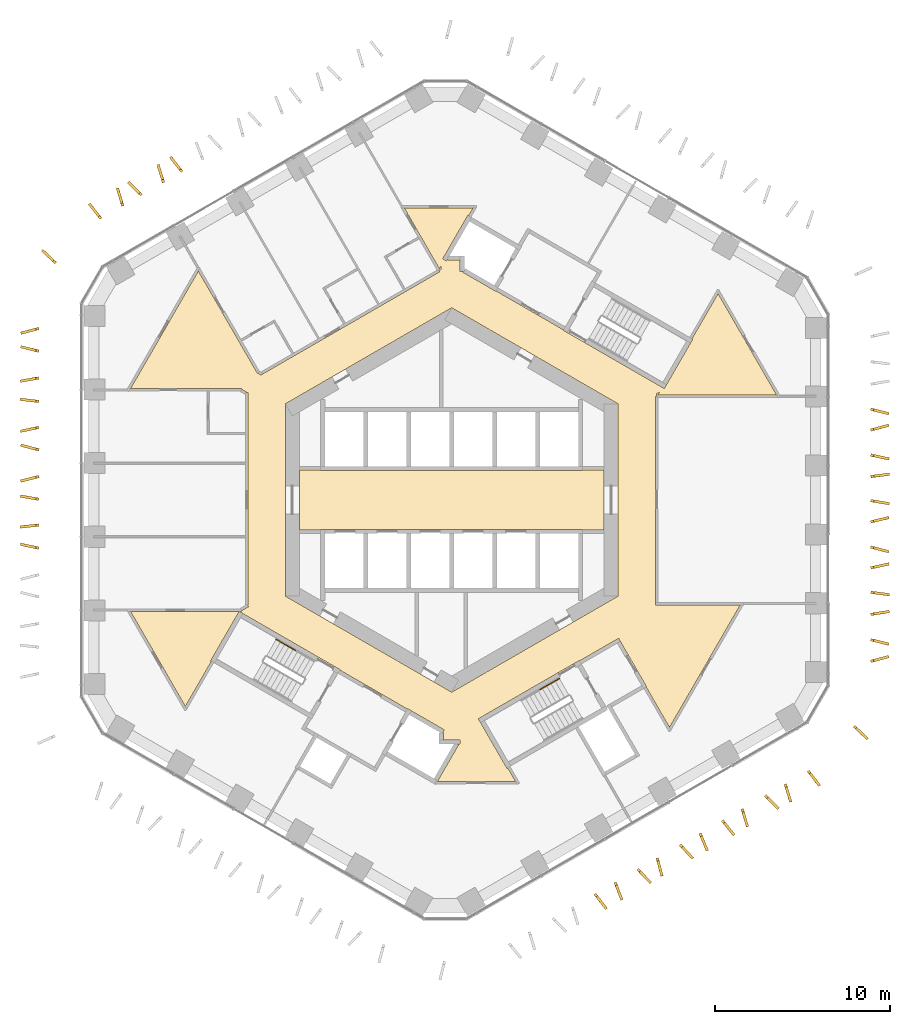
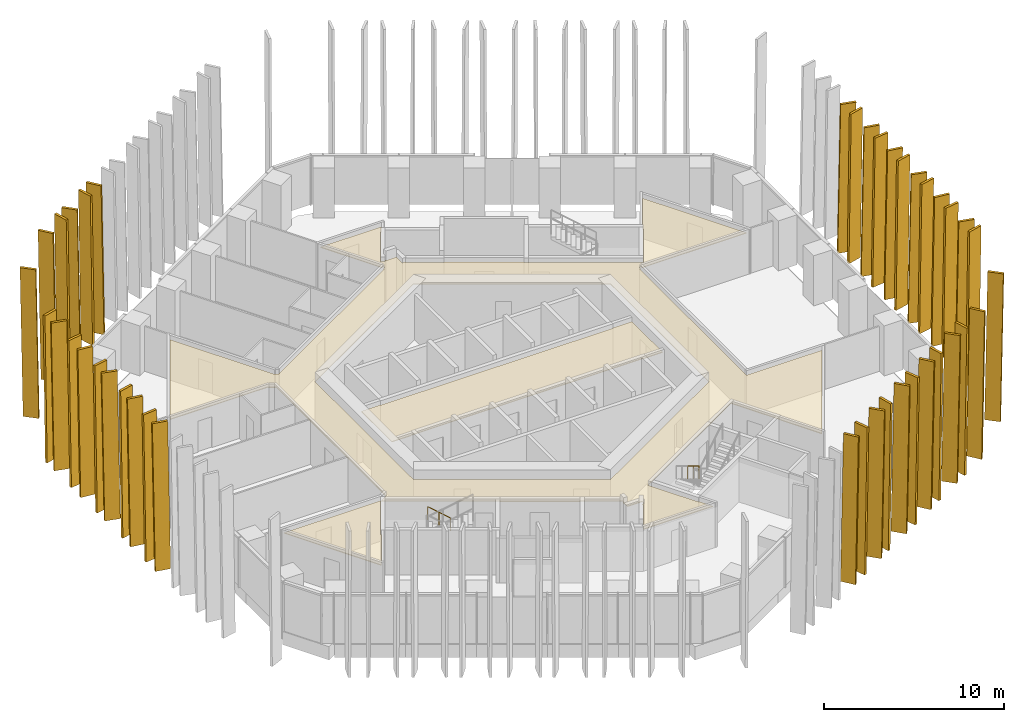
# One storey, part 18 of 19: 40 shading devices, 2 coverings, 2 railings.
"""IFC4 building model written with IfcOpenShell, lengths in metres."""

from ifc_helpers import new_model, si_unit, direction, frame, origin, origin_2d, place, context, subcontext, project, spatial, polyline, circle, outline, extrude, material, layer, layer_set, type_object, element, save


model = new_model("IFC4")

# Units and contexts
model_context = context("Model", 3, precision=1e-05, world=origin(), true_north=direction((0.0, 1.0)))
body_context = subcontext(model_context, "Body", "Model", "MODEL_VIEW")
ifc_project = project(units=[si_unit("LENGTHUNIT", "METRE"), si_unit("AREAUNIT", "SQUARE_METRE"), si_unit("VOLUMEUNIT", "CUBIC_METRE"), si_unit("PLANEANGLEUNIT", "RADIAN"), si_unit("MASSUNIT", "GRAM", prefix="KILO")], contexts=[model_context])

# Site, building, storey
site_placement = place(None, origin())
site = spatial("IfcSite", under=ifc_project, at=site_placement, CompositionType="ELEMENT")
building_placement = place(site_placement, origin())
building = spatial("IfcBuilding", under=site, at=building_placement, Name="Ayvan Gate Tower", CompositionType="ELEMENT")
storey_placement = place(building_placement, frame((0.0, 0.0, 45.89990234375)))
storey = spatial("IfcBuildingStorey", under=building, at=storey_placement, Name="L11", CompositionType="ELEMENT", Elevation=45.89990234375)

# Shading devices
ifc_material_1 = material(Name="Bronze anodised aluminium", Category="aluminium")
ifc_layer_1 = layer(ifc_material_1, 0.14990234375)
ifc_layer_set_1 = layer_set([ifc_layer_1], Name="Bronze anodised aluminium")
shading_device_type = type_object("IfcShadingDeviceType", Name="Bronze fin 900 x 150", PredefinedType="USERDEFINED", material=ifc_layer_set_1)
shading_device_1_placement = place(storey_placement, frame((-15.330322265625, 18.778564453125, 0.0), z_axis=(0.787545056934, 0.6162570585, 0.000145424872), x_axis=(-0.616257065015, 0.787545065263, -1.2153e-08)))
element("IfcShadingDevice", 1, at=shading_device_1_placement, inside=storey, type_object=shading_device_type, Name="Bronze fin FG03.1.11", ObjectType="FIN", PredefinedType="USERDEFINED", context=body_context, shape_type="SweptSolid", body=[
    extrude(outline(polyline([(0.0, 0.0), (0.9001872366298778, 1.3552527156068805e-20), (1.075304225865084, 10.080078244656733), (0.17530926097965524, 10.080078222779404), (0.0, 0.0)])), origin(), (0.0, 0.0, -1.0), 0.14990234375),
])
shading_device_2_placement = place(storey_placement, frame((-16.3759765625, 18.13916015625, 0.0), z_axis=(0.956054198216, 0.293189954119, 0.000144491818), x_axis=(-0.29318995718, 0.956054208196, 0.0)))
element("IfcShadingDevice", 2, at=shading_device_2_placement, inside=storey, type_object=shading_device_type, Name="Bronze fin FG03.1.12", ObjectType="FIN", PredefinedType="USERDEFINED", context=body_context, shape_type="SweptSolid", body=[
    extrude(outline(polyline([(0.0, 0.0), (0.9001536688480408, 0.0), (1.0752684415913927, 10.08007823022536), (0.17511477274335172, 10.08007823022536), (0.0, 0.0)])), origin(), (0.0, 0.0, -1.0), 0.14990234375),
])
shading_device_3_placement = place(storey_placement, frame((-17.64453125, 17.4462890625, 0.0), z_axis=(0.707242402371, 0.706971116448, 0.000157470414), x_axis=(-0.706971125213, 0.70724241114, 0.0)))
element("IfcShadingDevice", 3, at=shading_device_3_placement, inside=storey, type_object=shading_device_type, Name="Bronze fin FG03.1.13", ObjectType="FIN", PredefinedType="USERDEFINED", context=body_context, shape_type="SweptSolid", body=[
    extrude(outline(polyline([(0.0, 0.0), (0.8999384077507213, 1.3552527156068805e-20), (1.0751611003563015, 10.080078249977504), (0.17522269260558027, 10.080078249977504), (0.0, 0.0)])), origin(), (0.0, 0.0, -1.0), 0.14990234375),
])
shading_device_4_placement = place(storey_placement, frame((-18.697998046875, 16.7978515625, 0.0), z_axis=(0.957527127908, 0.288343154948, 0.000155934342), x_axis=(-0.288343158453, 0.957527139549, 0.0)))
element("IfcShadingDevice", 4, at=shading_device_4_placement, inside=storey, type_object=shading_device_type, Name="Bronze fin FG03.1.14", ObjectType="FIN", PredefinedType="USERDEFINED", context=body_context, shape_type="SweptSolid", body=[
    extrude(outline(polyline([(0.0, 0.0), (0.9000438427842659, 0.0), (1.0751715730923033, 10.080078247551167), (0.17512773030803733, 10.080078247551167), (0.0, 0.0)])), origin(), (0.0, 0.0, -1.0), 0.14990234375),
])
shading_device_5_placement = place(storey_placement, frame((-19.9599609375, 16.10595703125, 0.0), z_axis=(0.784743867321, 0.619820164822, 0.000161191343), x_axis=(-0.619820172874, 0.784743877516, 0.0)))
element("IfcShadingDevice", 5, at=shading_device_5_placement, inside=storey, type_object=shading_device_type, Name="Bronze fin FG03.1.15", ObjectType="FIN", PredefinedType="USERDEFINED", context=body_context, shape_type="SweptSolid", body=[
    extrude(outline(polyline([(0.0, 0.0), (0.9000373859057952, -2.710505431213761e-20), (1.0752304780260586, 10.080078255953568), (0.17519309212026343, 10.080078255953568), (0.0, 0.0)])), origin(), (0.0, 0.0, -1.0), 0.14990234375),
])
shading_device_6_placement = place(storey_placement, frame((-22.548583984375, 13.577880859375, 0.0), z_axis=(0.690156285686, 0.723660334932, 0.000144826369), x_axis=(-0.723660342523, 0.690156292922, 1.3557e-08)))
element("IfcShadingDevice", 6, at=shading_device_6_placement, inside=storey, type_object=shading_device_type, Name="Bronze fin FG03.2.16", ObjectType="FIN", PredefinedType="USERDEFINED", context=body_context, shape_type="SweptSolid", body=[
    extrude(outline(polyline([(0.0, 0.0), (0.900020362071362, 1.3552527156068805e-20), (1.0751526029628706, 10.08007821613771), (0.1753089157798199, 10.080078240537862), (0.0, 0.0)])), origin(), (0.0, 0.0, -1.0), 0.14990234375),
])
shading_device_7_placement = place(storey_placement, frame((-23.5751953125, 9.8662109375, 0.0), z_axis=(-0.256108802603, 0.966647948807, 0.000155876256), x_axis=(-0.96664796055, -0.256108805714, 0.0)))
element("IfcShadingDevice", 7, at=shading_device_7_placement, inside=storey, type_object=shading_device_type, Name="Bronze fin FG03.3.17", ObjectType="FIN", PredefinedType="USERDEFINED", context=body_context, shape_type="SweptSolid", body=[
    extrude(outline(polyline([(0.0, 0.0), (0.899886083016155, 0.0), (1.0750767719288403, 10.080078247459884), (0.17519068891268524, 10.080078247459884), (0.0, 0.0)])), origin(), (0.0, 0.0, -1.0), 0.14990234375),
])
shading_device_8_placement = place(storey_placement, frame((-23.53857421875, 8.56005859375, 0.0), z_axis=(0.242248379747, 0.970214255506, 0.000144648565), x_axis=(-0.970214265656, 0.242248382282, -4.753e-09)))
element("IfcShadingDevice", 8, at=shading_device_8_placement, inside=storey, type_object=shading_device_type, Name="Bronze fin FG03.3.18", ObjectType="FIN", PredefinedType="USERDEFINED", context=body_context, shape_type="SweptSolid", body=[
    extrude(outline(polyline([(0.0, 0.0), (0.8998569383209157, 0.0), (1.0751272238163687, 10.080078235564377), (0.17503341677825213, 10.080078227008348), (0.0, 0.0)])), origin(), (0.0, 0.0, -1.0), 0.14990234375),
])
shading_device_9_placement = place(storey_placement, frame((-23.572998046875, 7.040283203125, 0.0), z_axis=(-0.170202105656, 0.985409163105, 0.000156519833), x_axis=(-0.985409175176, -0.170202107738, -2.0918e-08)))
element("IfcShadingDevice", 9, at=shading_device_9_placement, inside=storey, type_object=shading_device_type, Name="Bronze fin FG03.3.19", ObjectType="FIN", PredefinedType="USERDEFINED", context=body_context, shape_type="SweptSolid", body=[
    extrude(outline(polyline([(0.0, 0.0), (0.900075257560315, 0.0), (1.075283774629681, 10.080078270965824), (0.1751669638204066, 10.080078233309662), (0.0, 0.0)])), origin(), (0.0, 0.0, -1.0), 0.14990234375),
])
shading_device_10_placement = place(storey_placement, frame((-23.553466796875, 5.69677734375, 0.0), z_axis=(0.115818259263, 0.993270410824, 0.00014766027), x_axis=(-0.993270421652, 0.115818260526, 0.0)))
element("IfcShadingDevice", 10, at=shading_device_10_placement, inside=storey, type_object=shading_device_type, Name="Bronze fin FG03.3.20", ObjectType="FIN", PredefinedType="USERDEFINED", context=body_context, shape_type="SweptSolid", body=[
    extrude(outline(polyline([(0.0, 0.0), (0.9001002639976092, 3.3881317890172014e-21), (1.075178344246236, 10.080078234890772), (0.17507808024862687, 10.080078234890772), (0.0, 0.0)])), origin(), (0.0, 0.0, -1.0), 0.14990234375),
])
shading_device_11_placement = place(storey_placement, frame((-23.57421875, 4.220458984375, 0.0), z_axis=(-0.208204273572, 0.978085352915, 0.000151258931), x_axis=(-0.978085364105, -0.208204275951, -1.5798e-08)))
element("IfcShadingDevice", 11, at=shading_device_11_placement, inside=storey, type_object=shading_device_type, Name="Bronze fin FG03.3.21", ObjectType="FIN", PredefinedType="USERDEFINED", context=body_context, shape_type="SweptSolid", body=[
    extrude(outline(polyline([(0.0, 0.0), (0.8998267620243332, 6.776263578034403e-21), (1.075148308661865, 10.080078257297336), (0.17503192514337748, 10.080078228862245), (0.0, 0.0)])), origin(), (0.0, 0.0, -1.0), 0.14990234375),
])
shading_device_12_placement = place(storey_placement, frame((-23.53662109375, 2.929931640625, 0.0), z_axis=(0.256041654744, 0.966665738887, 0.000142473564), x_axis=(-0.966665748698, 0.256041657343, 0.0)))
element("IfcShadingDevice", 12, at=shading_device_12_placement, inside=storey, type_object=shading_device_type, Name="Bronze fin FG03.3.22", ObjectType="FIN", PredefinedType="USERDEFINED", context=body_context, shape_type="SweptSolid", body=[
    extrude(outline(polyline([(0.0, 0.0), (0.9001220832250882, 6.776263578034403e-21), (1.0752705476664628, 10.080078227306325), (0.17514846444137472, 10.080078227306325), (0.0, 0.0)])), origin(), (0.0, 0.0, -1.0), 0.14990234375),
])
shading_device_13_placement = place(storey_placement, frame((-23.574951171875, 1.4140625, 0.0), z_axis=(-0.242918566676, 0.970046671619, 0.000157623013), x_axis=(-0.97004668367, -0.242918569691, -2.0739e-08)))
element("IfcShadingDevice", 13, at=shading_device_13_placement, inside=storey, type_object=shading_device_type, Name="Bronze fin FG03.3.23", ObjectType="FIN", PredefinedType="USERDEFINED", context=body_context, shape_type="SweptSolid", body=[
    extrude(outline(polyline([(0.0, 0.0), (0.8999753566107358, 0.0), (1.0750680820261669, 10.080078272515882), (0.17503341912400264, 10.080078235185141), (0.0, 0.0)])), origin(), (0.0, 0.0, -1.0), 0.14990234375),
])
shading_device_14_placement = place(storey_placement, frame((-23.547119140625, 0.1142578125, 0.0), z_axis=(0.172531676715, 0.985003959361, 0.000143430535), x_axis=(-0.985003969493, 0.17253167849, 0.0)))
element("IfcShadingDevice", 14, at=shading_device_14_placement, inside=storey, type_object=shading_device_type, Name="Bronze fin FG03.3.24", ObjectType="FIN", PredefinedType="USERDEFINED", context=body_context, shape_type="SweptSolid", body=[
    extrude(outline(polyline([(0.0, 0.0), (0.899970595886124, 0.0), (1.0752004661163554, 10.08007822868529), (0.17522987023023123, 10.08007822868529), (0.0, 0.0)])), origin(), (0.0, 0.0, -1.0), 0.14990234375),
])
shading_device_15_placement = place(storey_placement, frame((-23.570556640625, -1.350830078125, 0.0), z_axis=(-0.112024119723, 0.993705478465, 0.000136637421), x_axis=(-0.993705487741, -0.112024120769, -2.076e-09)))
element("IfcShadingDevice", 15, at=shading_device_15_placement, inside=storey, type_object=shading_device_type, Name="Bronze fin FG03.3.25", ObjectType="FIN", PredefinedType="USERDEFINED", context=body_context, shape_type="SweptSolid", body=[
    extrude(outline(polyline([(0.0, 0.0), (0.9001960129295483, 1.6940658945086007e-21), (1.0752820226849307, 10.080078221328355), (0.1753286136342254, 10.080078217591874), (0.0, 0.0)])), origin(), (0.0, 0.0, -1.0), 0.14990234375),
])
shading_device_16_placement = place(storey_placement, frame((-23.543212890625, -2.67578125, 0.0), z_axis=(0.205497745074, 0.978657578027, 0.000147442753), x_axis=(-0.978657588666, 0.205497747305, 2.368e-08)))
element("IfcShadingDevice", 16, at=shading_device_16_placement, inside=storey, type_object=shading_device_type, Name="Bronze fin FG03.3.26", ObjectType="FIN", PredefinedType="USERDEFINED", context=body_context, shape_type="SweptSolid", body=[
    extrude(outline(polyline([(0.0, 0.0), (0.900038665677492, 0.0), (1.075130936831644, 10.080078209108194), (0.17528103088104674, 10.080078251729487), (0.0, 0.0)])), origin(), (0.0, 0.0, -1.0), 0.14990234375),
])
shading_device_17_placement = place(storey_placement, frame((8.114013671875, -22.533447265625, 0.0), z_axis=(-0.792830676061, -0.609441955097, 0.000149877653), x_axis=(0.609441961946, -0.792830684964, 2.8509e-08)))
element("IfcShadingDevice", 17, at=shading_device_17_placement, inside=storey, type_object=shading_device_type, Name="Bronze fin FG03.7.53", ObjectType="FIN", PredefinedType="USERDEFINED", context=body_context, shape_type="SweptSolid", body=[
    extrude(outline(polyline([(0.0, 0.0), (0.8999187866102264, -2.710505431213761e-20), (1.0752402446016722, 10.080078207562362), (0.1752766853539902, 10.080078258874511), (0.0, 0.0)])), origin(), (0.0, 0.0, -1.0), 0.14990234375),
])
shading_device_18_placement = place(storey_placement, frame((9.25634765625, -21.84814453125, 0.0), z_axis=(-0.933079687876, -0.359669670385, 0.000155816883), x_axis=(0.359669674751, -0.933079699203, 0.0)))
element("IfcShadingDevice", 18, at=shading_device_18_placement, inside=storey, type_object=shading_device_type, Name="Bronze fin FG03.7.54", ObjectType="FIN", PredefinedType="USERDEFINED", context=body_context, shape_type="SweptSolid", body=[
    extrude(outline(polyline([(0.0, 0.0), (0.9000771860297079, -6.776263578034403e-21), (1.0752033953809224, 10.080078247366611), (0.17512620935121448, 10.080078247366611), (0.0, 0.0)])), origin(), (0.0, 0.0, -1.0), 0.14990234375),
])
shading_device_19_placement = place(storey_placement, frame((10.560791015625, -21.12451171875, 0.0), z_axis=(-0.725310874435, -0.688421465713, 0.000144820266), x_axis=(0.688421472932, -0.725310882041, 0.0)))
element("IfcShadingDevice", 19, at=shading_device_19_placement, inside=storey, type_object=shading_device_type, Name="Bronze fin FG03.7.55", ObjectType="FIN", PredefinedType="USERDEFINED", context=body_context, shape_type="SweptSolid", body=[
    extrude(outline(polyline([(0.0, 0.0), (0.9000720207219932, 1.3552527156068805e-20), (1.0751438734204668, 10.080078230704286), (0.17507185269847375, 10.080078230704286), (0.0, 0.0)])), origin(), (0.0, 0.0, -1.0), 0.14990234375),
])
shading_device_20_placement = place(storey_placement, frame((11.653076171875, -20.449462890625, 0.0), z_axis=(-0.965860211041, -0.259063755524, 0.00015264904), x_axis=(0.259063758542, -0.965860222294, -5.363e-09)))
element("IfcShadingDevice", 20, at=shading_device_20_placement, inside=storey, type_object=shading_device_type, Name="Bronze fin FG03.7.56", ObjectType="FIN", PredefinedType="USERDEFINED", context=body_context, shape_type="SweptSolid", body=[
    extrude(outline(polyline([(0.0, 0.0), (0.9001059914543591, -6.776263578034403e-21), (1.0751913024438633, 10.080078248208004), (0.17532111670783757, 10.080078238554524), (0.0, 0.0)])), origin(), (0.0, 0.0, -1.0), 0.14990234375),
])
shading_device_21_placement = place(storey_placement, frame((12.98046875, -19.72705078125, 0.0), z_axis=(-0.733908401926, -0.679248434087, 0.000149574378), x_axis=(0.679248441684, -0.733908410137, -1.3779e-08)))
element("IfcShadingDevice", 21, at=shading_device_21_placement, inside=storey, type_object=shading_device_type, Name="Bronze fin FG03.7.57", ObjectType="FIN", PredefinedType="USERDEFINED", context=body_context, shape_type="SweptSolid", body=[
    extrude(outline(polyline([(0.0, 0.0), (0.90009625385926, 0.0), (1.0752158472447038, 10.080078252573282), (0.17529877024338758, 10.080078227771512), (0.0, 0.0)])), origin(), (0.0, 0.0, -1.0), 0.14990234375),
])
shading_device_22_placement = place(storey_placement, frame((14.106689453125, -19.05029296875, 0.0), z_axis=(-0.925577190611, -0.37855890079, 0.000151174144), x_axis=(0.378558905114, -0.925577201188, -1.898e-08)))
element("IfcShadingDevice", 22, at=shading_device_22_placement, inside=storey, type_object=shading_device_type, Name="Bronze fin FG03.7.58", ObjectType="FIN", PredefinedType="USERDEFINED", context=body_context, shape_type="SweptSolid", body=[
    extrude(outline(polyline([(0.0, 0.0), (0.8999411823943508, 6.776263578034403e-21), (1.0752269976238706, 10.080078260590486), (0.17519339362182598, 10.080078226427759), (0.0, 0.0)])), origin(), (0.0, 0.0, -1.0), 0.14990234375),
])
shading_device_23_placement = place(storey_placement, frame((15.386962890625, -18.33544921875, 0.0), z_axis=(-0.780246418904, -0.62547222489, 0.00014723876), x_axis=(0.625472231671, -0.78024642736, 1.5582e-08)))
element("IfcShadingDevice", 23, at=shading_device_23_placement, inside=storey, type_object=shading_device_type, Name="Bronze fin FG03.7.59", ObjectType="FIN", PredefinedType="USERDEFINED", context=body_context, shape_type="SweptSolid", body=[
    extrude(outline(polyline([(0.0, 0.0), (0.8999823465140441, 0.0), (1.075069401670045, 10.080078217512291), (0.17523975833756136, 10.0800782455574), (0.0, 0.0)])), origin(), (0.0, 0.0, -1.0), 0.14990234375),
])
shading_device_24_placement = place(storey_placement, frame((16.505126953125, -17.65234375, 0.0), z_axis=(-0.958265591965, -0.285879403886, 0.000147276905), x_axis=(0.285879406987, -0.958265602357, 0.0)))
element("IfcShadingDevice", 24, at=shading_device_24_placement, inside=storey, type_object=shading_device_type, Name="Bronze fin FG03.7.60", ObjectType="FIN", PredefinedType="USERDEFINED", context=body_context, shape_type="SweptSolid", body=[
    extrude(outline(polyline([(0.0, 0.0), (0.9001145674052323, 0.0), (1.0753320376423434, 10.0800782343209), (0.17521747023711107, 10.0800782343209), (0.0, 0.0)])), origin(), (0.0, 0.0, -1.0), 0.14990234375),
])
shading_device_25_placement = place(storey_placement, frame((17.844970703125, -16.91943359375, 0.0), z_axis=(-0.707174585247, -0.707038955292, 0.000147239049), x_axis=(0.707038962958, -0.707174592911, 1.4121e-08)))
element("IfcShadingDevice", 25, at=shading_device_25_placement, inside=storey, type_object=shading_device_type, Name="Bronze fin FG03.7.61", ObjectType="FIN", PredefinedType="USERDEFINED", context=body_context, shape_type="SweptSolid", body=[
    extrude(outline(polyline([(0.0, 0.0), (0.9001110205447482, -1.3552527156068805e-20), (1.0751613900104022, 10.080078219082422), (0.17522298639996994, 10.080078244500813), (0.0, 0.0)])), origin(), (0.0, 0.0, -1.0), 0.14990234375),
])
shading_device_26_placement = place(storey_placement, frame((18.962646484375, -16.23486328125, 0.0), z_axis=(-0.955411676052, -0.295277004367, 0.000141265466), x_axis=(0.295277007316, -0.955411685584, 1.8305e-08)))
element("IfcShadingDevice", 26, at=shading_device_26_placement, inside=storey, type_object=shading_device_type, Name="Bronze fin FG03.7.62", ObjectType="FIN", PredefinedType="USERDEFINED", context=body_context, shape_type="SweptSolid", body=[
    extrude(outline(polyline([(0.0, 0.0), (0.9000284710922993, -1.3552527156068805e-20), (1.0752182804971764, 10.080078205896328), (0.17526189851799157, 10.080078238845857), (0.0, 0.0)])), origin(), (0.0, 0.0, -1.0), 0.14990234375),
])
shading_device_27_placement = place(storey_placement, frame((20.282470703125, -15.508056640625, 0.0), z_axis=(-0.791225336125, -0.61152468985, 0.000145526824), x_axis=(0.611524696324, -0.791225344504, -1.5618e-08)))
element("IfcShadingDevice", 27, at=shading_device_27_placement, inside=storey, type_object=shading_device_type, Name="Bronze fin FG03.7.63", ObjectType="FIN", PredefinedType="USERDEFINED", context=body_context, shape_type="SweptSolid", body=[
    extrude(outline(polyline([(0.0, 0.0), (0.8999953602131685, 1.3552527156068805e-20), (1.0752315454306158, 10.08007824853072), (0.17508688719588367, 10.080078220416937), (0.0, 0.0)])), origin(), (0.0, 0.0, -1.0), 0.14990234375),
])
shading_device_28_placement = place(storey_placement, frame((22.906005859375, -12.96044921875, 0.0), z_axis=(-0.686049787039, -0.727554578426, 0.000158474818), x_axis=(0.727554587562, -0.686049795654, 0.0)))
element("IfcShadingDevice", 28, at=shading_device_28_placement, inside=storey, type_object=shading_device_type, Name="Bronze fin FG03.8.64", ObjectType="FIN", PredefinedType="USERDEFINED", context=body_context, shape_type="SweptSolid", body=[
    extrude(outline(polyline([(0.0, 0.0), (0.8999807951785506, 0.0), (1.0749807862775063, 10.080078251576895), (0.1749999910989556, 10.080078251576895), (0.0, 0.0)])), origin(), (0.0, 0.0, -1.0), 0.14990234375),
])
shading_device_29_placement = place(storey_placement, frame((23.93115234375, -9.284912109375, 0.0), z_axis=(0.25756978505, -0.966259688625, 0.000141304481), x_axis=(0.966259698271, 0.257569787624, 1.8518e-08)))
element("IfcShadingDevice", 29, at=shading_device_29_placement, inside=storey, type_object=shading_device_type, Name="Bronze fin FG03.9.65", ObjectType="FIN", PredefinedType="USERDEFINED", context=body_context, shape_type="SweptSolid", body=[
    extrude(outline(polyline([(0.0, 0.0), (0.9000264510461768, 0.0), (1.075219501691188, 10.080078205722847), (0.17525593389394303, 10.080078239055869), (0.0, 0.0)])), origin(), (0.0, 0.0, -1.0), 0.14990234375),
])
shading_device_30_placement = place(storey_placement, frame((23.895263671875, -8.050048828125, 0.0), z_axis=(-0.237074820169, -0.97149138265, 0.000151912787), x_axis=(0.97149139386, -0.237074822904, 4.884e-09)))
element("IfcShadingDevice", 30, at=shading_device_30_placement, inside=storey, type_object=shading_device_type, Name="Bronze fin FG03.9.66", ObjectType="FIN", PredefinedType="USERDEFINED", context=body_context, shape_type="SweptSolid", body=[
    extrude(outline(polyline([(0.0, 0.0), (0.900167375006456, 6.776263578034403e-21), (1.0752116781112546, 10.080078236060253), (0.17528148362087764, 10.080078244851745), (0.0, 0.0)])), origin(), (0.0, 0.0, -1.0), 0.14990234375),
])
shading_device_31_placement = place(storey_placement, frame((23.9287109375, -6.6064453125, 0.0), z_axis=(0.158699344038, -0.987326944662, 0.000150151314), x_axis=(0.987326955792, 0.158699345827, -3.232e-09)))
element("IfcShadingDevice", 31, at=shading_device_31_placement, inside=storey, type_object=shading_device_type, Name="Bronze fin FG03.9.67", ObjectType="FIN", PredefinedType="USERDEFINED", context=body_context, shape_type="SweptSolid", body=[
    extrude(outline(polyline([(0.0, 0.0), (0.9000754971661993, 0.0), (1.0751448198743598, 10.080078242104365), (0.1753103693282273, 10.08007823628754), (0.0, 0.0)])), origin(), (0.0, 0.0, -1.0), 0.14990234375),
])
shading_device_32_placement = place(storey_placement, frame((23.908203125, -5.34375, 0.0), z_axis=(-0.12830700544, -0.991734486026, 0.000146905204), x_axis=(0.991734496728, -0.128307006825, 0.0)))
element("IfcShadingDevice", 32, at=shading_device_32_placement, inside=storey, type_object=shading_device_type, Name="Bronze fin FG03.9.68", ObjectType="FIN", PredefinedType="USERDEFINED", context=body_context, shape_type="SweptSolid", body=[
    extrude(outline(polyline([(0.0, 0.0), (0.9000172202794061, 3.3881317890172014e-21), (1.0751025142874686, 10.080078233769784), (0.17508529400806253, 10.080078233769784), (0.0, 0.0)])), origin(), (0.0, 0.0, -1.0), 0.14990234375),
])
shading_device_33_placement = place(storey_placement, frame((23.930419921875, -3.95166015625, 0.0), z_axis=(0.216729406439, -0.976231706852, 0.00013755691), x_axis=(0.976231716088, 0.21672940849, 0.0)))
element("IfcShadingDevice", 33, at=shading_device_33_placement, inside=storey, type_object=shading_device_type, Name="Bronze fin FG03.9.69", ObjectType="FIN", PredefinedType="USERDEFINED", context=body_context, shape_type="SweptSolid", body=[
    extrude(outline(polyline([(0.0, 0.0), (0.9000548690388707, 0.0), (1.0751719111072797, 10.080078220367133), (0.1751170420684092, 10.080078220367133), (0.0, 0.0)])), origin(), (0.0, 0.0, -1.0), 0.14990234375),
])
shading_device_34_placement = place(storey_placement, frame((23.892578125, -2.7529296875, 0.0), z_axis=(-0.257763972985, -0.966207902948, 0.000150037459), x_axis=(0.966207913823, -0.257763975887, 0.0)))
element("IfcShadingDevice", 34, at=shading_device_34_placement, inside=storey, type_object=shading_device_type, Name="Bronze fin FG03.9.70", ObjectType="FIN", PredefinedType="USERDEFINED", context=body_context, shape_type="SweptSolid", body=[
    extrude(outline(polyline([(0.0, 0.0), (0.8997905659711188, -6.776263578034403e-21), (1.0749991235372869, 10.080078238457528), (0.1752085575661679, 10.080078238457528), (0.0, 0.0)])), origin(), (0.0, 0.0, -1.0), 0.14990234375),
])
shading_device_35_placement = place(storey_placement, frame((23.930908203125, -1.326904296875, 0.0), z_axis=(0.237745998547, -0.971327348314, 0.000150305367), x_axis=(0.971327359287, 0.23774600123, -1.9801e-08)))
element("IfcShadingDevice", 35, at=shading_device_35_placement, inside=storey, type_object=shading_device_type, Name="Bronze fin FG03.9.71", ObjectType="FIN", PredefinedType="USERDEFINED", context=body_context, shape_type="SweptSolid", body=[
    extrude(outline(polyline([(0.0, 0.0), (0.9000460865926884, 0.0), (1.0751322046057727, 10.080078260151682), (0.17502807455575306, 10.080078224507048), (0.0, 0.0)])), origin(), (0.0, 0.0, -1.0), 0.14990234375),
])
shading_device_36_placement = place(storey_placement, frame((23.904296875, -0.11279296875, 0.0), z_axis=(-0.163563185923, -0.986532847766, 0.000156489845), x_axis=(0.986532859846, -0.163563187926, 0.0)))
element("IfcShadingDevice", 36, at=shading_device_36_placement, inside=storey, type_object=shading_device_type, Name="Bronze fin FG03.9.72", ObjectType="FIN", PredefinedType="USERDEFINED", context=body_context, shape_type="SweptSolid", body=[
    extrude(outline(polyline([(0.0, 0.0), (0.9000606966744293, 0.0), (1.075257794206275, 10.08007824842588), (0.17519709753184579, 10.08007824842588), (0.0, 0.0)])), origin(), (0.0, 0.0, -1.0), 0.14990234375),
])
shading_device_37_placement = place(storey_placement, frame((23.92724609375, 1.263427734375, 0.0), z_axis=(0.121797533168, -0.992554952919, 0.000162326087), x_axis=(0.992554965996, 0.121797534772, 0.0)))
element("IfcShadingDevice", 37, at=shading_device_37_placement, inside=storey, type_object=shading_device_type, Name="Bronze fin FG03.9.73", ObjectType="FIN", PredefinedType="USERDEFINED", context=body_context, shape_type="SweptSolid", body=[
    extrude(outline(polyline([(0.0, 0.0), (0.9000111605693982, 0.0), (1.0750979645468832, 10.080078257803816), (0.17508680397748483, 10.080078257803816), (0.0, 0.0)])), origin(), (0.0, 0.0, -1.0), 0.14990234375),
])
shading_device_38_placement = place(storey_placement, frame((23.8984375, 2.49560546875, 0.0), z_axis=(-0.212131188695, -0.977241185771, 0.000153675328), x_axis=(0.97724119731, -0.212131191199, 4.421e-09)))
element("IfcShadingDevice", 38, at=shading_device_38_placement, inside=storey, type_object=shading_device_type, Name="Bronze fin FG03.9.74", ObjectType="FIN", PredefinedType="USERDEFINED", context=body_context, shape_type="SweptSolid", body=[
    extrude(outline(polyline([(0.0, 0.0), (0.9001188050358091, 0.0), (1.0751663287077966, 10.080078239272808), (0.17528610794867466, 10.080078247230574), (0.0, 0.0)])), origin(), (0.0, 0.0, -1.0), 0.14990234375),
])
shading_device_39_placement = place(storey_placement, frame((23.93115234375, 3.91650390625, 0.0), z_axis=(0.256995751773, -0.966412520914, 0.000151630619), x_axis=(0.966412532024, 0.256995754724, -1.9874e-08)))
element("IfcShadingDevice", 39, at=shading_device_39_placement, inside=storey, type_object=shading_device_type, Name="Bronze fin FG03.9.75", ObjectType="FIN", PredefinedType="USERDEFINED", context=body_context, shape_type="SweptSolid", body=[
    extrude(outline(polyline([(0.0, 0.0), (0.9000739334293503, 6.776263578034403e-21), (1.075328533224991, 10.080078262250682), (0.17519185669146, 10.080078226473622), (0.0, 0.0)])), origin(), (0.0, 0.0, -1.0), 0.14990234375),
])
shading_device_40_placement = place(storey_placement, frame((23.894775390625, 5.10888671875, 0.0), z_axis=(-0.24100356797, -0.970524216315, 0.000160535953), x_axis=(0.97052422882, -0.241003571079, -2.113e-08)))
element("IfcShadingDevice", 40, at=shading_device_40_placement, inside=storey, type_object=shading_device_type, Name="Bronze fin FG03.9.76", ObjectType="FIN", PredefinedType="USERDEFINED", context=body_context, shape_type="SweptSolid", body=[
    extrude(outline(polyline([(0.0, 0.0), (0.9000946937031584, -6.776263578034403e-21), (1.075248900758364, 10.080078277610909), (0.1752130458176761, 10.080078239574059), (0.0, 0.0)])), origin(), (0.0, 0.0, -1.0), 0.14990234375),
])

# Coverings
ifc_material_2 = material(Name="Plasterboard suspended ceiling")
ifc_layer_2 = layer(ifc_material_2, 0.050048828125)
ifc_layer_set_2 = layer_set([ifc_layer_2], Name="Plasterboard suspended ceiling")
covering_type = type_object("IfcCoveringType", Name="CT-SUSP-50", PredefinedType="CEILING", material=ifc_layer_set_2)
covering_1_placement = place(storey_placement, frame((0.0, 0.0, 2.7001953125)))
element("IfcCovering", 41, at=covering_1_placement, inside=storey, type_object=covering_type, Name="Ceiling Lift Lobby L11", PredefinedType="CEILING", context=body_context, shape_type="SweptSolid", body=[
    extrude(outline(polyline([(7.47509765625, -1.675048828125), (-7.47509765625, -1.675048828125), (-7.47509765625, -1.699951171875), (-8.699951171875, -1.699951171875), (-8.699951171875, 1.699951171875), (-7.47509765625, 1.699951171875), (-7.47509765625, 1.675048828125), (7.47509765625, 1.675048828125), (7.47509765625, 1.699951171875), (8.699951171875, 1.699951171875), (8.699951171875, -1.699951171875), (7.47509765625, -1.699951171875), (7.47509765625, -1.675048828125)])), origin(), (0.0, 0.0, 1.0), 0.0498046875),
])
covering_2_placement = place(storey_placement, frame((0.0, 0.0, 2.7001953125)))
element("IfcCovering", 42, at=covering_2_placement, inside=storey, type_object=covering_type, Name="Ceiling Ring Corridor L11", PredefinedType="CEILING", context=body_context, shape_type="SweptSolid", body=[
    extrude(outline(polyline([(-12.009521484375, -6.359130859375), (-12.009521484375, -6.3271484375), (-11.597412109375, -6.089599609375), (-11.656494140625, -5.9873046875), (-11.625, -5.9873046875), (-11.625, 6.13720703125), (-11.743408203125, 6.13720703125), (-11.7275390625, 6.164794921875), (-11.98193359375, 6.3115234375), (-12.009521484375, 6.26416015625), (-12.009521484375, 6.359130859375), (-18.331787109375, 6.359130859375), (-14.45947265625, 13.066162109375), (-11.087646484375, 7.22607421875), (-11.0625, 7.240478515625), (-10.872802734375, 7.1162109375), (-10.806396484375, 7.217529296875), (-10.7919921875, 7.192626953125), (-0.690673828125, 13.024658203125), (-0.728271484375, 13.089599609375), (-0.60009765625, 13.16357421875), (-0.60009765625, 13.36083984375), (-0.69921875, 13.189208984375), (-2.700439453125, 16.6552734375), (1.215576171875, 16.6552734375), (0.962158203125, 16.216552734375), (0.918701171875, 16.241455078125), (-0.511474609375, 13.76416015625), (-0.294921875, 13.63916015625), (-0.215576171875, 13.776611328125), (-0.215576171875, 13.68505859375), (0.47509765625, 13.68505859375), (0.47509765625, 13.03857421875), (0.672119140625, 13.03857421875), (0.645751953125, 12.992919921875), (2.518310546875, 11.91162109375), (2.53076171875, 11.933349609375), (6.384521484375, 9.70849609375), (6.3720703125, 9.686767578125), (6.588623046875, 9.561767578125), (12.131103515625, 6.36181640625), (12.24609375, 6.56103515625), (13.631103515625, 8.959716796875), (13.756103515625, 9.176513671875), (13.712890625, 9.201416015625), (15.201904296875, 11.7802734375), (18.54541015625, 5.989013671875), (11.771728515625, 5.989013671875), (11.870849609375, 6.160888671875), (11.699951171875, 6.062255859375), (11.699951171875, 5.914306640625), (11.625, 5.914306640625), (11.625, -5.989013671875), (16.466796875, -5.989013671875), (12.430419921875, -12.980224609375), (11.102294921875, -10.6796875), (11.123779296875, -10.667236328125), (9.623779296875, -8.069091796875), (9.52392578125, -7.89599609375), (7.2939453125, -9.183349609375), (7.281494140625, -9.16162109375), (1.522216796875, -12.48681640625), (1.647216796875, -12.703369140625), (3.147216796875, -15.30126953125), (3.190673828125, -15.2763671875), (3.640380859375, -16.055419921875), (-0.811279296875, -16.055419921875), (0.386474609375, -13.980712890625), (0.30712890625, -13.93505859375), (0.465576171875, -13.93505859375), (0.465576171875, -13.68505859375), (-0.47509765625, -13.68505859375), (-0.47509765625, -13.28857421875), (-0.52783203125, -13.28857421875), (-0.42919921875, -13.117919921875), (-2.284423828125, -12.046630859375), (-2.518310546875, -11.91162109375), (-2.53076171875, -11.933349609375), (-6.384521484375, -9.70849609375), (-6.3720703125, -9.686767578125), (-11.897216796875, -6.49658203125), (-12.131103515625, -6.36181640625), (-13.756103515625, -9.17626953125), (-13.712890625, -9.201416015625), (-15.201904296875, -11.7802734375), (-18.331787109375, -6.359130859375), (-12.009521484375, -6.359130859375)]), holes=[polyline([(-2.808349609375, -9.34814453125), (0.0, -10.9697265625), (2.808349609375, -9.34814453125), (9.5, -5.48486328125), (9.5, 5.48486328125), (2.808349609375, 9.34814453125), (0.0, 10.9697265625), (-2.808349609375, 9.34814453125), (-9.5, 5.48486328125), (-9.5, -5.48486328125), (-2.808349609375, -9.34814453125)])]), origin(), (0.0, 0.0, 1.0), 0.0498046875),
])

# Railings
ifc_material_3 = material(Name="Stainless steel balustrade", Category="steel")
railing_type = type_object("IfcRailingType", Name="RL-HANDRAIL-900", PredefinedType="HANDRAIL", material=ifc_material_3)
railing_1_placement = place(storey_placement, frame((-8.92236328125, -8.583984375, 0.93505859375)))
element("IfcRailing", 43, at=railing_1_placement, inside=storey, type_object=railing_type, Name="L11 STS2 stair handrail 2", PredefinedType="HANDRAIL", context=body_context, shape_type="SweptSolid", body=[
    extrude(circle(Radius=0.02392578125, at=origin_2d()), frame((0.0, 0.0, 0.8759765625), z_axis=(-0.740165700939, 0.427470949681, 0.519060037311), x_axis=(-0.50011940292, -0.865956455501, 0.0)), (0.0, 0.0, 1.0), 1.47412109375),
    extrude(circle(Radius=0.02099609375, at=origin_2d()), origin(), (0.0, 0.0, 1.0), 0.851806640625),
    extrude(circle(Radius=0.02099609375, at=origin_2d()), frame((-0.54541015625, 0.31494140625, 0.382568359375)), (0.0, 0.0, 1.0), 0.851806640625),
    extrude(circle(Radius=0.02099609375, at=origin_2d()), frame((-1.091064453125, 0.630126953125, 0.76513671875)), (0.0, 0.0, 1.0), 0.851806640625),
])
railing_2_placement = place(storey_placement, frame((6.142333984375, -10.18896484375, 0.170166015625)))
element("IfcRailing", 44, at=railing_2_placement, inside=storey, type_object=railing_type, Name="L11 STS3 stair handrail 1", PredefinedType="HANDRAIL", context=body_context, shape_type="SweptSolid", body=[
    extrude(circle(Radius=0.02392578125, at=origin_2d()), frame((0.0, 0.0, 0.8759765625), z_axis=(-0.740281741151, -0.427372318678, 0.518975765278), x_axis=(0.499974077718, -0.866040369504, 0.0)), (0.0, 0.0, 1.0), 1.473876953125),
    extrude(circle(Radius=0.02099609375, at=origin_2d()), origin(), (0.0, 0.0, 1.0), 0.851806640625),
    extrude(circle(Radius=0.02099609375, at=origin_2d()), frame((-0.54541015625, -0.31494140625, 0.38232421875)), (0.0, 0.0, 1.0), 0.851806640625),
    extrude(circle(Radius=0.02099609375, at=origin_2d()), frame((-1.091064453125, -0.6298828125, 0.764892578125)), (0.0, 0.0, 1.0), 0.851806640625),
])

save(model, "model.ifc")
